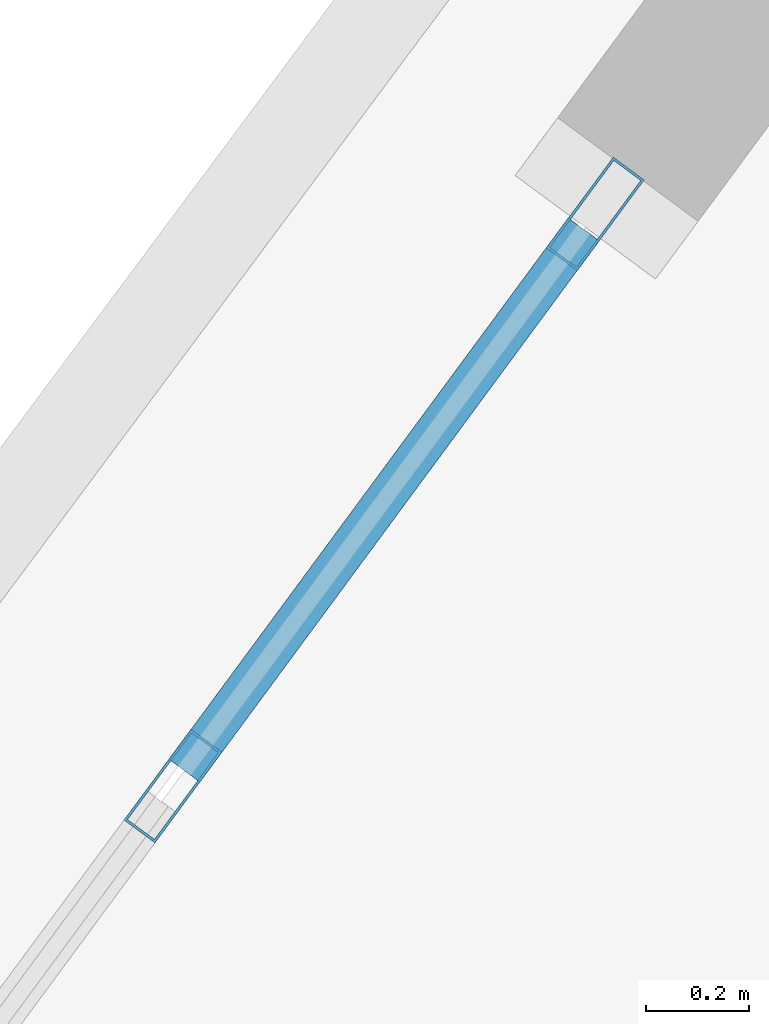
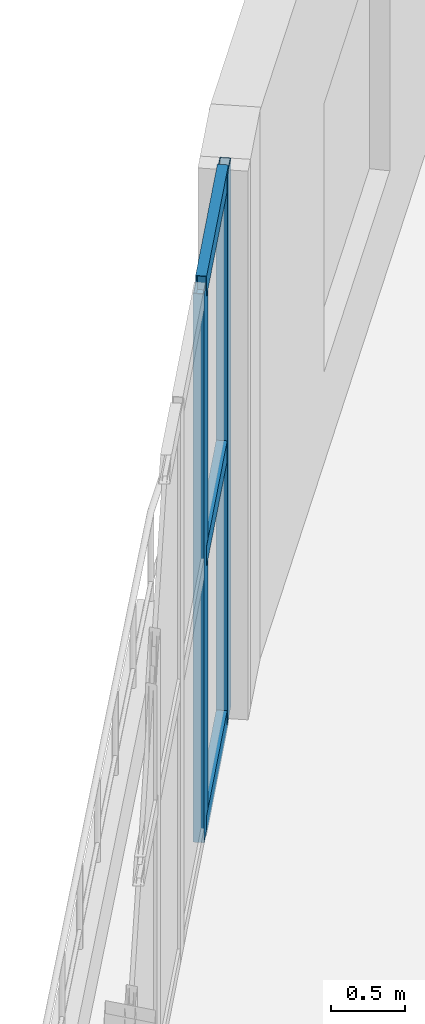
# One storey, part 12 of 23: 5 members, 1 element without a shape of its own.
"""IFC4 building model written with IfcOpenShell, lengths in metres."""

from ifc_helpers import new_model, si_unit, direction, frame, origin, origin_2d, place, context, subcontext, project, spatial, hollow_rectangle, extrude, material, layer, layer_set, material_profile, profile_set, type_object, element, aggregate, save


model = new_model("IFC4")

# Units and contexts
model_context = context("Model", 3, precision=1e-05, world=origin(), true_north=direction((0.0, 1.0)))
body_context = subcontext(model_context, "Body", "Model", "MODEL_VIEW")
ifc_project = project(units=[si_unit("LENGTHUNIT", "METRE"), si_unit("AREAUNIT", "SQUARE_METRE"), si_unit("VOLUMEUNIT", "CUBIC_METRE"), si_unit("PLANEANGLEUNIT", "RADIAN"), si_unit("MASSUNIT", "GRAM", prefix="KILO")], contexts=[model_context])

# Site, building, storey
site_placement = place(None, origin())
site = spatial("IfcSite", under=ifc_project, at=site_placement, CompositionType="ELEMENT")
building_placement = place(site_placement, origin())
building = spatial("IfcBuilding", under=site, at=building_placement, Name="Miruveldt Soraemaru", CompositionType="ELEMENT")
storey_placement = place(building_placement, frame((0.0, 0.0, 9.60009765625)))
storey = spatial("IfcBuildingStorey", under=building, at=storey_placement, Name="L03", CompositionType="ELEMENT", Elevation=9.60009765625)

# Curtain wall, members
ifc_material = material(Name="Anodised aluminium EN AW-6063 T6", Category="aluminium")
ifc_layer = layer(ifc_material, 0.219970703125, Name="Anodised aluminium EN AW-6063 T6", Category="aluminium")
ifc_layer_set = layer_set([ifc_layer], Name="Anodised aluminium EN AW-6063 T6")
curtain_wall_type = type_object("IfcCurtainWallType", Name="CW-SYS-2", PredefinedType="USERDEFINED", material=ifc_layer_set)
curtain_wall_placement = place(storey_placement, origin())
curtain_wall = element("IfcCurtainWall", 1, at=curtain_wall_placement, inside=storey, type_object=curtain_wall_type, Name="L03 Curtain Wall Bay 9", ObjectType="STOREFRONT", PredefinedType="USERDEFINED")
ifc_material_profile_1 = material_profile(ifc_material, hollow_rectangle(XDim=0.074951171875, YDim=0.219970703125, WallThickness=0.0048828125, at=origin_2d()), Name="Anodised aluminium EN AW-6063 T6", Category="aluminium")
ifc_profile_set_1 = profile_set([ifc_material_profile_1], Name="Anodised aluminium EN AW-6063 T6")
member_type_1 = type_object("IfcMemberType", Name="CWM-2", PredefinedType="MULLION", material=ifc_profile_set_1)
member_1_placement = place(storey_placement, frame((29.042724609375, 65.004638671875, 0.0), z_axis=(0.0, 0.0, 1.0), x_axis=(0.804695673223, -0.593687521762, 0.0)))
member_1 = element("IfcMember", 2, at=member_1_placement, type_object=member_type_1, Name="CW-2 mullion 1", PredefinedType="MULLION", context=body_context, shape_type="SweptSolid", body=[
    extrude(hollow_rectangle(XDim=0.074951171875, YDim=0.219970703125, WallThickness=0.0048828125, at=origin_2d()), origin(), (0.0, 0.0, 1.0), 4.5),
])
member_2_placement = place(storey_placement, frame((28.21923828125, 63.888916015625, 0.0), z_axis=(0.0, 0.0, 1.0), x_axis=(0.804695673223, -0.593687521762, 0.0)))
member_2 = element("IfcMember", 3, at=member_2_placement, type_object=member_type_1, Name="CW-2 mullion 2", PredefinedType="MULLION", context=body_context, shape_type="SweptSolid", body=[
    extrude(hollow_rectangle(XDim=0.074951171875, YDim=0.219970703125, WallThickness=0.0048828125, at=origin_2d()), origin(), (0.0, 0.0, 1.0), 4.5),
])
ifc_material_profile_2 = material_profile(ifc_material, hollow_rectangle(XDim=0.074951171875, YDim=0.1650390625, WallThickness=0.00390625, at=origin_2d()), Name="Anodised aluminium EN AW-6063 T6", Category="aluminium")
ifc_profile_set_2 = profile_set([ifc_material_profile_2], Name="Anodised aluminium EN AW-6063 T6")
member_type_2 = type_object("IfcMemberType", Name="CWT-2", PredefinedType="USERDEFINED", material=ifc_profile_set_2)
member_3_placement = place(storey_placement, frame((29.020263671875, 64.974609375, 0.037353515625), z_axis=(-0.593548172852, -0.804798463284, 0.0), x_axis=(0.804798463284, -0.593548172852, 0.0)))
member_3 = element("IfcMember", 4, at=member_3_placement, type_object=member_type_2, Name="CW-2 transom 1.1", ObjectType="TRANSOM", PredefinedType="USERDEFINED", context=body_context, shape_type="SweptSolid", body=[
    extrude(hollow_rectangle(XDim=0.074951171875, YDim=0.1650390625, WallThickness=0.00390625, at=origin_2d()), origin(), (0.0, 0.0, 1.0), 1.311767578125),
])
member_4_placement = place(storey_placement, frame((29.020263671875, 64.974609375, 2.25), z_axis=(-0.593548172852, -0.804798463284, 0.0), x_axis=(0.804798463284, -0.593548172852, 0.0)))
member_4 = element("IfcMember", 5, at=member_4_placement, type_object=member_type_2, Name="CW-2 transom 1.2", ObjectType="TRANSOM", PredefinedType="USERDEFINED", context=body_context, shape_type="SweptSolid", body=[
    extrude(hollow_rectangle(XDim=0.074951171875, YDim=0.1650390625, WallThickness=0.00390625, at=origin_2d()), origin(), (0.0, 0.0, 1.0), 1.311767578125),
])
member_5_placement = place(storey_placement, frame((29.020263671875, 64.974609375, 4.46240234375), z_axis=(-0.593548172852, -0.804798463284, 0.0), x_axis=(0.804798463284, -0.593548172852, 0.0)))
member_5 = element("IfcMember", 6, at=member_5_placement, type_object=member_type_2, Name="CW-2 transom 1.3", ObjectType="TRANSOM", PredefinedType="USERDEFINED", context=body_context, shape_type="SweptSolid", body=[
    extrude(hollow_rectangle(XDim=0.074951171875, YDim=0.1650390625, WallThickness=0.00390625, at=origin_2d()), origin(), (0.0, 0.0, 1.0), 1.311767578125),
])
aggregate(curtain_wall, [member_1, member_2, member_3, member_4, member_5])

save(model, "model.ifc")
